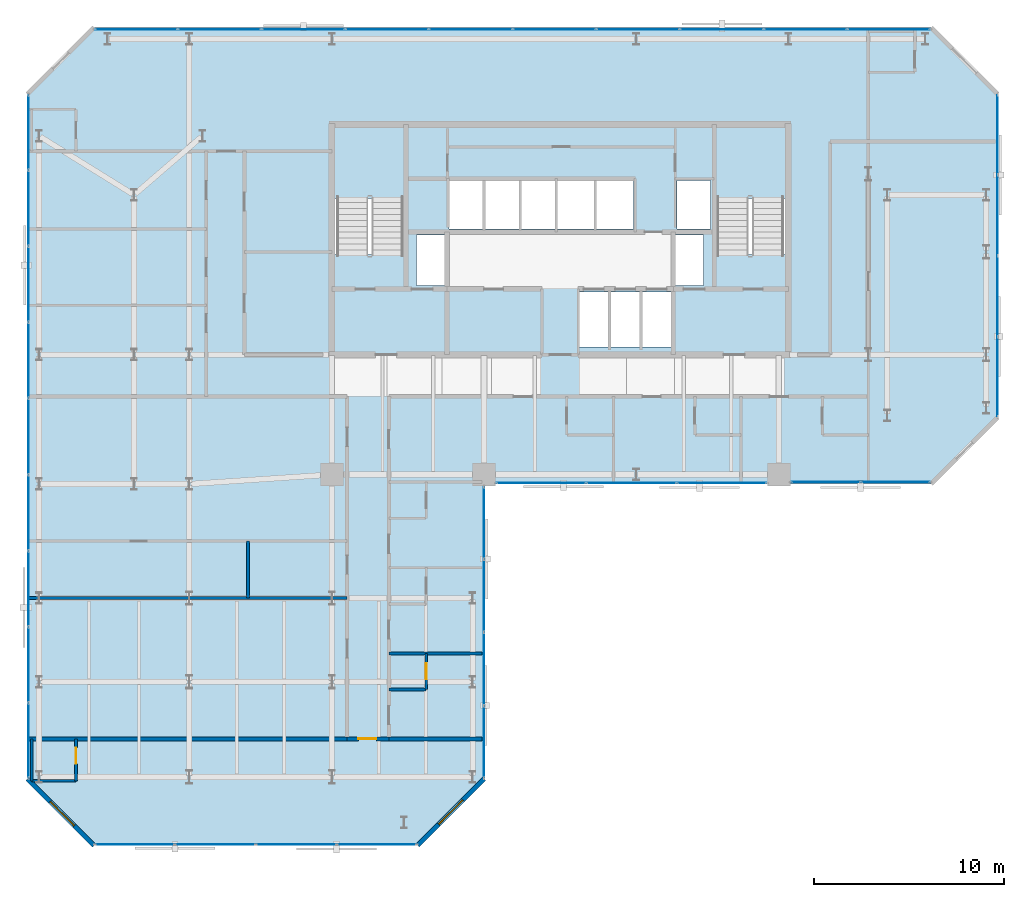
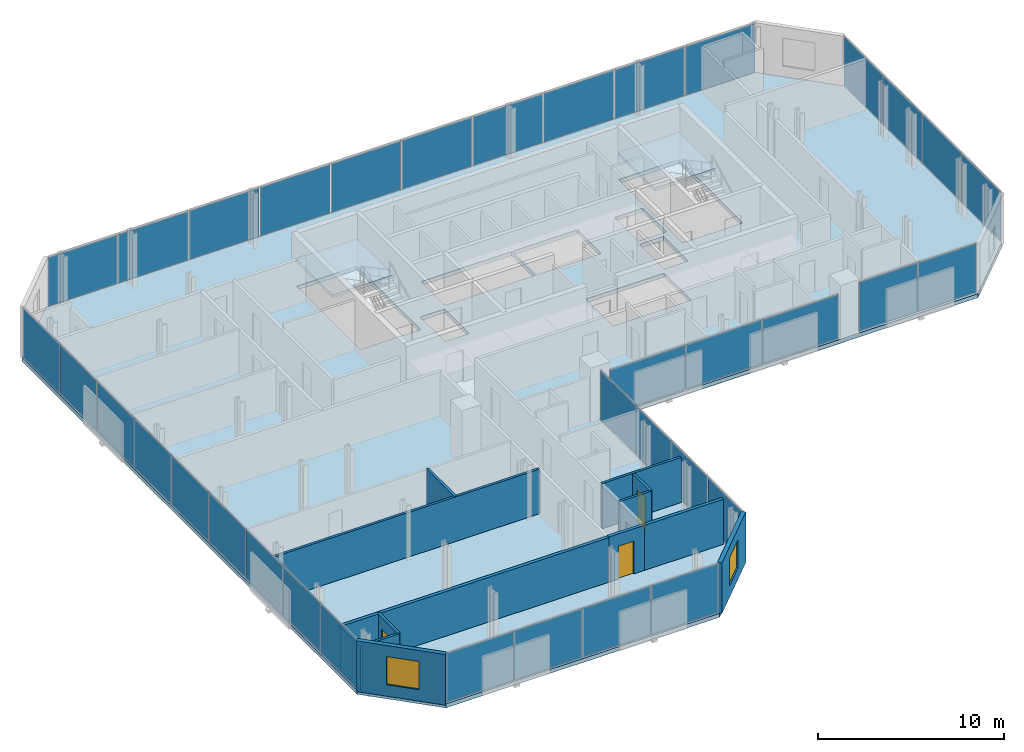
# One storey, part 27 of 32: 36 plates, 13 walls, 3 doors, 3 slabs, 2 windows, 5 openings, 9 elements without a shape of their own.
"""IFC4 building model written with IfcOpenShell, lengths in metres."""

from ifc_helpers import new_model, si_unit, direction, frame, frame_2d, origin, origin_2d, place, context, subcontext, project, spatial, polyline, rectangle, outline, extrude, material, layer, layer_set, type_object, element, fill, aggregate, save


model = new_model("IFC4")

# Units and contexts
model_context = context("Model", 3, precision=1e-05, world=origin(), true_north=direction((0.0, 1.0)))
body_context = subcontext(model_context, "Body", "Model", "MODEL_VIEW")
ifc_project = project(units=[si_unit("LENGTHUNIT", "METRE"), si_unit("AREAUNIT", "SQUARE_METRE"), si_unit("VOLUMEUNIT", "CUBIC_METRE"), si_unit("PLANEANGLEUNIT", "RADIAN"), si_unit("MASSUNIT", "GRAM", prefix="KILO")], contexts=[model_context])

# Site, building, storey
site_placement = place(None, origin())
site = spatial("IfcSite", under=ifc_project, at=site_placement, CompositionType="ELEMENT")
building_placement = place(site_placement, origin())
building = spatial("IfcBuilding", under=site, at=building_placement, Name="Catumbela Crestline Tower", CompositionType="ELEMENT")
storey_placement = place(building_placement, frame((0.0, 0.0, 136.8)))
storey = spatial("IfcBuildingStorey", under=building, at=storey_placement, Name="L35", CompositionType="ELEMENT", Elevation=136.8)

# Curtain wall, plates
ifc_material_1 = material(Name="Aluminium alloy AW-6060-T66", Category="aluminium")
ifc_layer_1 = layer(ifc_material_1, 0.18, Name="Aluminium alloy AW-6060-T66")
ifc_layer_set_1 = layer_set([ifc_layer_1], Name="Aluminium alloy AW-6060-T66")
curtain_wall_type = type_object("IfcCurtainWallType", Name="CWU-Z2", PredefinedType="USERDEFINED", material=ifc_layer_set_1)
curtain_wall_1_placement = place(storey_placement, origin())
curtain_wall_1 = element("IfcCurtainWall", 1, at=curtain_wall_1_placement, inside=storey, type_object=curtain_wall_type, Name="L35 Unitised Curtain Wall CW-L35-E0S1", ObjectType="UNITISED", PredefinedType="USERDEFINED")
ifc_material_2 = material(Name="Low-E laminated solar-control double glazing", Category="glass")
ifc_layer_2 = layer(ifc_material_2, 0.036, Name="Low-E laminated solar-control double glazing")
ifc_layer_set_2 = layer_set([ifc_layer_2], Name="Low-E laminated solar-control double glazing")
plate_type = type_object("IfcPlateType", Name="PNL-GLZ-Z2", PredefinedType="CURTAIN_PANEL", material=ifc_layer_set_2)
plate_1_placement = place(storey_placement, frame((5.6412, 5.05, 0.06), z_axis=(0.0, 0.0, 1.0), x_axis=(1.0, 0.0, 0.0)))
plate_1 = element("IfcPlate", 2, at=plate_1_placement, type_object=plate_type, Name="CWU-Z2 panel 1.1", PredefinedType="CURTAIN_PANEL", context=body_context, shape_type="SweptSolid", body=[
    extrude(rectangle(XDim=4.1525, YDim=0.034, at=origin_2d()), origin(), (0.0, 0.0, 1.0), 3.21),
])
plate_2_placement = place(storey_placement, frame((9.875, 5.05, 0.06), z_axis=(0.0, 0.0, 1.0), x_axis=(1.0, 0.0, 0.0)))
plate_2 = element("IfcPlate", 3, at=plate_2_placement, type_object=plate_type, Name="CWU-Z2 panel 2.1", PredefinedType="CURTAIN_PANEL", context=body_context, shape_type="SweptSolid", body=[
    extrude(rectangle(XDim=4.185, YDim=0.034, at=origin_2d()), origin(), (0.0, 0.0, 1.0), 3.21),
])
plate_3_placement = place(storey_placement, frame((14.125, 5.05, 0.06), z_axis=(0.0, 0.0, 1.0), x_axis=(1.0, 0.0, 0.0)))
plate_3 = element("IfcPlate", 4, at=plate_3_placement, type_object=plate_type, Name="CWU-Z2 panel 3.1", PredefinedType="CURTAIN_PANEL", context=body_context, shape_type="SweptSolid", body=[
    extrude(rectangle(XDim=4.185, YDim=0.034, at=origin_2d()), origin(), (0.0, 0.0, 1.0), 3.21),
])
plate_4_placement = place(storey_placement, frame((18.3588, 5.05, 0.06), z_axis=(0.0, 0.0, 1.0), x_axis=(1.0, 0.0, 0.0)))
plate_4 = element("IfcPlate", 5, at=plate_4_placement, type_object=plate_type, Name="CWU-Z2 panel 4.1", PredefinedType="CURTAIN_PANEL", context=body_context, shape_type="SweptSolid", body=[
    extrude(rectangle(XDim=4.1525, YDim=0.034, at=origin_2d()), origin(), (0.0, 0.0, 1.0), 3.21),
])
aggregate(curtain_wall_1, [plate_1, plate_2, plate_3, plate_4])

curtain_wall_2_placement = place(storey_placement, origin())
curtain_wall_2 = element("IfcCurtainWall", 6, at=curtain_wall_2_placement, inside=storey, type_object=curtain_wall_type, Name="L35 Unitised Curtain Wall CW-L35-E2S1", ObjectType="UNITISED", PredefinedType="USERDEFINED")
plate_5_placement = place(storey_placement, frame((24.0, 10.4412, 0.06), z_axis=(0.0, 0.0, 1.0), x_axis=(0.0, 1.0, 0.0)))
plate_5 = element("IfcPlate", 7, at=plate_5_placement, type_object=plate_type, Name="CWU-Z2 panel 1.1", PredefinedType="CURTAIN_PANEL", context=body_context, shape_type="SweptSolid", body=[
    extrude(rectangle(XDim=3.7525, YDim=0.034, at=origin_2d()), origin(), (0.0, 0.0, 1.0), 3.21),
])
plate_6_placement = place(storey_placement, frame((24.0, 14.275, 0.06), z_axis=(0.0, 0.0, 1.0), x_axis=(0.0, 1.0, 0.0)))
plate_6 = element("IfcPlate", 8, at=plate_6_placement, type_object=plate_type, Name="CWU-Z2 panel 2.1", PredefinedType="CURTAIN_PANEL", context=body_context, shape_type="SweptSolid", body=[
    extrude(rectangle(XDim=3.785, YDim=0.034, at=origin_2d()), origin(), (0.0, 0.0, 1.0), 3.21),
])
plate_7_placement = place(storey_placement, frame((24.0, 18.125, 0.06), z_axis=(0.0, 0.0, 1.0), x_axis=(0.0, 1.0, 0.0)))
plate_7 = element("IfcPlate", 9, at=plate_7_placement, type_object=plate_type, Name="CWU-Z2 panel 3.1", PredefinedType="CURTAIN_PANEL", context=body_context, shape_type="SweptSolid", body=[
    extrude(rectangle(XDim=3.785, YDim=0.034, at=origin_2d()), origin(), (0.0, 0.0, 1.0), 3.21),
])
plate_8_placement = place(storey_placement, frame((24.0, 21.9587, 0.06), z_axis=(0.0, 0.0, 1.0), x_axis=(0.0, 1.0, 0.0)))
plate_8 = element("IfcPlate", 10, at=plate_8_placement, type_object=plate_type, Name="CWU-Z2 panel 4.1", PredefinedType="CURTAIN_PANEL", context=body_context, shape_type="SweptSolid", body=[
    extrude(rectangle(XDim=3.7525, YDim=0.034, at=origin_2d()), origin(), (0.0, 0.0, 1.0), 3.21),
])
aggregate(curtain_wall_2, [plate_5, plate_6, plate_7, plate_8])

curtain_wall_3_placement = place(storey_placement, origin())
curtain_wall_3 = element("IfcCurtainWall", 11, at=curtain_wall_3_placement, inside=storey, type_object=curtain_wall_type, Name="L35 Unitised Curtain Wall CW-L35-E3S1", ObjectType="UNITISED", PredefinedType="USERDEFINED")
plate_9_placement = place(storey_placement, frame((26.9996, 24.05, 0.06), z_axis=(0.0, 0.0, 1.0), x_axis=(1.0, 0.0, 0.0)))
plate_9 = element("IfcPlate", 12, at=plate_9_placement, type_object=plate_type, Name="CWU-Z2 panel 1.1", PredefinedType="CURTAIN_PANEL", context=body_context, shape_type="SweptSolid", body=[
    extrude(rectangle(XDim=4.6692, YDim=0.034, at=origin_2d()), origin(), (0.0, 0.0, 1.0), 2.89),
])
plate_10_placement = place(storey_placement, frame((31.75, 24.05, 0.06), z_axis=(0.0, 0.0, 1.0), x_axis=(1.0, 0.0, 0.0)))
plate_10 = element("IfcPlate", 13, at=plate_10_placement, type_object=plate_type, Name="CWU-Z2 panel 2.1", PredefinedType="CURTAIN_PANEL", context=body_context, shape_type="SweptSolid", body=[
    extrude(rectangle(XDim=4.7017, YDim=0.034, at=origin_2d()), origin(), (0.0, 0.0, 1.0), 2.89),
])
plate_11_placement = place(storey_placement, frame((36.5004, 24.05, 0.06), z_axis=(0.0, 0.0, 1.0), x_axis=(1.0, 0.0, 0.0)))
plate_11 = element("IfcPlate", 14, at=plate_11_placement, type_object=plate_type, Name="CWU-Z2 panel 3.1", PredefinedType="CURTAIN_PANEL", context=body_context, shape_type="SweptSolid", body=[
    extrude(rectangle(XDim=4.6692, YDim=0.034, at=origin_2d()), origin(), (0.0, 0.0, 1.0), 2.89),
])
aggregate(curtain_wall_3, [plate_9, plate_10, plate_11])

curtain_wall_4_placement = place(storey_placement, origin())
curtain_wall_4 = element("IfcCurtainWall", 15, at=curtain_wall_4_placement, inside=storey, type_object=curtain_wall_type, Name="L35 Unitised Curtain Wall CW-L35-E3S2", ObjectType="UNITISED", PredefinedType="USERDEFINED")
plate_12_placement = place(storey_placement, frame((41.9662, 24.1, 0.06), z_axis=(0.0, 0.0, 1.0), x_axis=(1.0, 0.0, 0.0)))
plate_12 = element("IfcPlate", 16, at=plate_12_placement, type_object=plate_type, Name="CWU-Z2 panel 1.1", PredefinedType="CURTAIN_PANEL", context=body_context, shape_type="SweptSolid", body=[
    extrude(rectangle(XDim=3.6025, YDim=0.034, at=origin_2d()), origin(), (0.0, 0.0, 1.0), 3.21),
])
plate_13_placement = place(storey_placement, frame((45.6338, 24.1, 0.06), z_axis=(0.0, 0.0, 1.0), x_axis=(1.0, 0.0, 0.0)))
plate_13 = element("IfcPlate", 17, at=plate_13_placement, type_object=plate_type, Name="CWU-Z2 panel 2.1", PredefinedType="CURTAIN_PANEL", context=body_context, shape_type="SweptSolid", body=[
    extrude(rectangle(XDim=3.6025, YDim=0.034, at=origin_2d()), origin(), (0.0, 0.0, 1.0), 3.21),
])
aggregate(curtain_wall_4, [plate_12, plate_13])

curtain_wall_5_placement = place(storey_placement, origin())
curtain_wall_5 = element("IfcCurtainWall", 18, at=curtain_wall_5_placement, inside=storey, type_object=curtain_wall_type, Name="L35 Unitised Curtain Wall CW-L35-E5S1", ObjectType="UNITISED", PredefinedType="USERDEFINED")
plate_14_placement = place(storey_placement, frame((51.0, 29.6412, 0.06), z_axis=(0.0, 0.0, 1.0), x_axis=(0.0, 1.0, 0.0)))
plate_14 = element("IfcPlate", 19, at=plate_14_placement, type_object=plate_type, Name="CWU-Z2 panel 1.1", PredefinedType="CURTAIN_PANEL", context=body_context, shape_type="SweptSolid", body=[
    extrude(rectangle(XDim=4.1525, YDim=0.034, at=origin_2d()), origin(), (0.0, 0.0, 1.0), 3.21),
])
plate_15_placement = place(storey_placement, frame((51.0, 33.875, 0.06), z_axis=(0.0, 0.0, 1.0), x_axis=(0.0, 1.0, 0.0)))
plate_15 = element("IfcPlate", 20, at=plate_15_placement, type_object=plate_type, Name="CWU-Z2 panel 2.1", PredefinedType="CURTAIN_PANEL", context=body_context, shape_type="SweptSolid", body=[
    extrude(rectangle(XDim=4.185, YDim=0.034, at=origin_2d()), origin(), (0.0, 0.0, 1.0), 3.21),
])
plate_16_placement = place(storey_placement, frame((51.0, 38.125, 0.06), z_axis=(0.0, 0.0, 1.0), x_axis=(0.0, 1.0, 0.0)))
plate_16 = element("IfcPlate", 21, at=plate_16_placement, type_object=plate_type, Name="CWU-Z2 panel 3.1", PredefinedType="CURTAIN_PANEL", context=body_context, shape_type="SweptSolid", body=[
    extrude(rectangle(XDim=4.185, YDim=0.034, at=origin_2d()), origin(), (0.0, 0.0, 1.0), 3.21),
])
plate_17_placement = place(storey_placement, frame((51.0, 42.3588, 0.06), z_axis=(0.0, 0.0, 1.0), x_axis=(0.0, 1.0, 0.0)))
plate_17 = element("IfcPlate", 22, at=plate_17_placement, type_object=plate_type, Name="CWU-Z2 panel 4.1", PredefinedType="CURTAIN_PANEL", context=body_context, shape_type="SweptSolid", body=[
    extrude(rectangle(XDim=4.1525, YDim=0.034, at=origin_2d()), origin(), (0.0, 0.0, 1.0), 3.21),
])
aggregate(curtain_wall_5, [plate_14, plate_15, plate_16, plate_17])

curtain_wall_6_placement = place(storey_placement, origin())
curtain_wall_6 = element("IfcCurtainWall", 23, at=curtain_wall_6_placement, inside=storey, type_object=curtain_wall_type, Name="L35 Unitised Curtain Wall CW-L35-E7S1", ObjectType="UNITISED", PredefinedType="USERDEFINED")
plate_18_placement = place(storey_placement, frame((45.2838, 47.9, 0.06), z_axis=(0.0, 0.0, 1.0), x_axis=(-1.0, 0.0, 0.0)))
plate_18 = element("IfcPlate", 24, at=plate_18_placement, type_object=plate_type, Name="CWU-Z2 panel 1.1", PredefinedType="CURTAIN_PANEL", context=body_context, shape_type="SweptSolid", body=[
    extrude(rectangle(XDim=4.3025, YDim=0.034, at=origin_2d()), origin(), (0.0, 0.0, 1.0), 3.21),
])
plate_19_placement = place(storey_placement, frame((40.9, 47.9, 0.06), z_axis=(0.0, 0.0, 1.0), x_axis=(-1.0, 0.0, 0.0)))
plate_19 = element("IfcPlate", 25, at=plate_19_placement, type_object=plate_type, Name="CWU-Z2 panel 2.1", PredefinedType="CURTAIN_PANEL", context=body_context, shape_type="SweptSolid", body=[
    extrude(rectangle(XDim=4.335, YDim=0.034, at=origin_2d()), origin(), (0.0, 0.0, 1.0), 3.21),
])
plate_20_placement = place(storey_placement, frame((36.5, 47.9, 0.06), z_axis=(0.0, 0.0, 1.0), x_axis=(-1.0, 0.0, 0.0)))
plate_20 = element("IfcPlate", 26, at=plate_20_placement, type_object=plate_type, Name="CWU-Z2 panel 3.1", PredefinedType="CURTAIN_PANEL", context=body_context, shape_type="SweptSolid", body=[
    extrude(rectangle(XDim=4.335, YDim=0.034, at=origin_2d()), origin(), (0.0, 0.0, 1.0), 3.21),
])
plate_21_placement = place(storey_placement, frame((32.1, 47.9, 0.06), z_axis=(0.0, 0.0, 1.0), x_axis=(-1.0, 0.0, 0.0)))
plate_21 = element("IfcPlate", 27, at=plate_21_placement, type_object=plate_type, Name="CWU-Z2 panel 4.1", PredefinedType="CURTAIN_PANEL", context=body_context, shape_type="SweptSolid", body=[
    extrude(rectangle(XDim=4.335, YDim=0.034, at=origin_2d()), origin(), (0.0, 0.0, 1.0), 3.21),
])
plate_22_placement = place(storey_placement, frame((27.7, 47.9, 0.06), z_axis=(0.0, 0.0, 1.0), x_axis=(-1.0, 0.0, 0.0)))
plate_22 = element("IfcPlate", 28, at=plate_22_placement, type_object=plate_type, Name="CWU-Z2 panel 5.1", PredefinedType="CURTAIN_PANEL", context=body_context, shape_type="SweptSolid", body=[
    extrude(rectangle(XDim=4.335, YDim=0.034, at=origin_2d()), origin(), (0.0, 0.0, 1.0), 3.21),
])
plate_23_placement = place(storey_placement, frame((23.3, 47.9, 0.06), z_axis=(0.0, 0.0, 1.0), x_axis=(-1.0, 0.0, 0.0)))
plate_23 = element("IfcPlate", 29, at=plate_23_placement, type_object=plate_type, Name="CWU-Z2 panel 6.1", PredefinedType="CURTAIN_PANEL", context=body_context, shape_type="SweptSolid", body=[
    extrude(rectangle(XDim=4.335, YDim=0.034, at=origin_2d()), origin(), (0.0, 0.0, 1.0), 3.21),
])
plate_24_placement = place(storey_placement, frame((18.9, 47.9, 0.06), z_axis=(0.0, 0.0, 1.0), x_axis=(-1.0, 0.0, 0.0)))
plate_24 = element("IfcPlate", 30, at=plate_24_placement, type_object=plate_type, Name="CWU-Z2 panel 7.1", PredefinedType="CURTAIN_PANEL", context=body_context, shape_type="SweptSolid", body=[
    extrude(rectangle(XDim=4.335, YDim=0.034, at=origin_2d()), origin(), (0.0, 0.0, 1.0), 3.21),
])
plate_25_placement = place(storey_placement, frame((14.5, 47.9, 0.06), z_axis=(0.0, 0.0, 1.0), x_axis=(-1.0, 0.0, 0.0)))
plate_25 = element("IfcPlate", 31, at=plate_25_placement, type_object=plate_type, Name="CWU-Z2 panel 8.1", PredefinedType="CURTAIN_PANEL", context=body_context, shape_type="SweptSolid", body=[
    extrude(rectangle(XDim=4.335, YDim=0.034, at=origin_2d()), origin(), (0.0, 0.0, 1.0), 3.21),
])
plate_26_placement = place(storey_placement, frame((10.1, 47.9, 0.06), z_axis=(0.0, 0.0, 1.0), x_axis=(-1.0, 0.0, 0.0)))
plate_26 = element("IfcPlate", 32, at=plate_26_placement, type_object=plate_type, Name="CWU-Z2 panel 9.1", PredefinedType="CURTAIN_PANEL", context=body_context, shape_type="SweptSolid", body=[
    extrude(rectangle(XDim=4.335, YDim=0.034, at=origin_2d()), origin(), (0.0, 0.0, 1.0), 3.21),
])
plate_27_placement = place(storey_placement, frame((5.7162, 47.9, 0.06), z_axis=(0.0, 0.0, 1.0), x_axis=(-1.0, 0.0, 0.0)))
plate_27 = element("IfcPlate", 33, at=plate_27_placement, type_object=plate_type, Name="CWU-Z2 panel 10.1", PredefinedType="CURTAIN_PANEL", context=body_context, shape_type="SweptSolid", body=[
    extrude(rectangle(XDim=4.3025, YDim=0.034, at=origin_2d()), origin(), (0.0, 0.0, 1.0), 3.21),
])
aggregate(curtain_wall_6, [plate_18, plate_19, plate_20, plate_21, plate_22, plate_23, plate_24, plate_25, plate_26, plate_27])

curtain_wall_7_placement = place(storey_placement, origin())
curtain_wall_7 = element("IfcCurtainWall", 34, at=curtain_wall_7_placement, inside=storey, type_object=curtain_wall_type, Name="L35 Unitised Curtain Wall CW-L35-E9S1", ObjectType="UNITISED", PredefinedType="USERDEFINED")
plate_28_placement = place(storey_placement, frame((0.05, 42.4838, 0.06), z_axis=(0.0, 0.0, 1.0), x_axis=(0.0, -1.0, 0.0)))
plate_28 = element("IfcPlate", 35, at=plate_28_placement, type_object=plate_type, Name="CWU-Z2 panel 1.1", PredefinedType="CURTAIN_PANEL", context=body_context, shape_type="SweptSolid", body=[
    extrude(rectangle(XDim=3.9025, YDim=0.034, at=origin_2d()), origin(), (0.0, 0.0, 1.0), 3.21),
])
plate_29_placement = place(storey_placement, frame((0.05, 38.5, 0.06), z_axis=(0.0, 0.0, 1.0), x_axis=(0.0, -1.0, 0.0)))
plate_29 = element("IfcPlate", 36, at=plate_29_placement, type_object=plate_type, Name="CWU-Z2 panel 2.1", PredefinedType="CURTAIN_PANEL", context=body_context, shape_type="SweptSolid", body=[
    extrude(rectangle(XDim=3.935, YDim=0.034, at=origin_2d()), origin(), (0.0, 0.0, 1.0), 3.21),
])
plate_30_placement = place(storey_placement, frame((0.05, 34.5, 0.06), z_axis=(0.0, 0.0, 1.0), x_axis=(0.0, -1.0, 0.0)))
plate_30 = element("IfcPlate", 37, at=plate_30_placement, type_object=plate_type, Name="CWU-Z2 panel 3.1", PredefinedType="CURTAIN_PANEL", context=body_context, shape_type="SweptSolid", body=[
    extrude(rectangle(XDim=3.935, YDim=0.034, at=origin_2d()), origin(), (0.0, 0.0, 1.0), 3.21),
])
plate_31_placement = place(storey_placement, frame((0.05, 30.5, 0.06), z_axis=(0.0, 0.0, 1.0), x_axis=(0.0, -1.0, 0.0)))
plate_31 = element("IfcPlate", 38, at=plate_31_placement, type_object=plate_type, Name="CWU-Z2 panel 4.1", PredefinedType="CURTAIN_PANEL", context=body_context, shape_type="SweptSolid", body=[
    extrude(rectangle(XDim=3.935, YDim=0.034, at=origin_2d()), origin(), (0.0, 0.0, 1.0), 3.21),
])
plate_32_placement = place(storey_placement, frame((0.05, 26.5, 0.06), z_axis=(0.0, 0.0, 1.0), x_axis=(0.0, -1.0, 0.0)))
plate_32 = element("IfcPlate", 39, at=plate_32_placement, type_object=plate_type, Name="CWU-Z2 panel 5.1", PredefinedType="CURTAIN_PANEL", context=body_context, shape_type="SweptSolid", body=[
    extrude(rectangle(XDim=3.935, YDim=0.034, at=origin_2d()), origin(), (0.0, 0.0, 1.0), 3.21),
])
plate_33_placement = place(storey_placement, frame((0.05, 22.5, 0.06), z_axis=(0.0, 0.0, 1.0), x_axis=(0.0, -1.0, 0.0)))
plate_33 = element("IfcPlate", 40, at=plate_33_placement, type_object=plate_type, Name="CWU-Z2 panel 6.1", PredefinedType="CURTAIN_PANEL", context=body_context, shape_type="SweptSolid", body=[
    extrude(rectangle(XDim=3.935, YDim=0.034, at=origin_2d()), origin(), (0.0, 0.0, 1.0), 3.21),
])
plate_34_placement = place(storey_placement, frame((0.05, 18.5, 0.06), z_axis=(0.0, 0.0, 1.0), x_axis=(0.0, -1.0, 0.0)))
plate_34 = element("IfcPlate", 41, at=plate_34_placement, type_object=plate_type, Name="CWU-Z2 panel 7.1", PredefinedType="CURTAIN_PANEL", context=body_context, shape_type="SweptSolid", body=[
    extrude(rectangle(XDim=3.935, YDim=0.034, at=origin_2d()), origin(), (0.0, 0.0, 1.0), 3.21),
])
plate_35_placement = place(storey_placement, frame((0.05, 14.5, 0.06), z_axis=(0.0, 0.0, 1.0), x_axis=(0.0, -1.0, 0.0)))
plate_35 = element("IfcPlate", 42, at=plate_35_placement, type_object=plate_type, Name="CWU-Z2 panel 8.1", PredefinedType="CURTAIN_PANEL", context=body_context, shape_type="SweptSolid", body=[
    extrude(rectangle(XDim=3.935, YDim=0.034, at=origin_2d()), origin(), (0.0, 0.0, 1.0), 3.21),
])
plate_36_placement = place(storey_placement, frame((0.05, 10.5162, 0.06), z_axis=(0.0, 0.0, 1.0), x_axis=(0.0, -1.0, 0.0)))
plate_36 = element("IfcPlate", 43, at=plate_36_placement, type_object=plate_type, Name="CWU-Z2 panel 9.1", PredefinedType="CURTAIN_PANEL", context=body_context, shape_type="SweptSolid", body=[
    extrude(rectangle(XDim=3.9025, YDim=0.034, at=origin_2d()), origin(), (0.0, 0.0, 1.0), 3.21),
])
aggregate(curtain_wall_7, [plate_28, plate_29, plate_30, plate_31, plate_32, plate_33, plate_34, plate_35, plate_36])

# Stair, slab
ifc_material_3 = material(Name="Concrete C45/55", Category="concrete")
stair_type = type_object("IfcStairType", Name="ST-DLG", PredefinedType="HALF_TURN_STAIR", material=ifc_material_3)
stair_1_placement = place(storey_placement, origin())
stair_1 = element("IfcStair", 44, at=stair_1_placement, inside=storey, type_object=stair_type, Name="L35 West Core Pressurised Exit Stair ST-01", PredefinedType="HALF_TURN_STAIR")
ifc_layer_3 = layer(ifc_material_3, 0.2, Name="Concrete C45/55")
ifc_layer_set_3 = layer_set([ifc_layer_3], Name="Concrete C45/55")
slab_type_1 = type_object("IfcSlabType", Name="SL-LND", PredefinedType="LANDING", material=ifc_layer_set_3)
slab_1_placement = place(storey_placement, frame((0.0, 0.0, 1.6)))
slab_1 = element("IfcSlab", 45, at=slab_1_placement, type_object=slab_type_1, Name="ST-01 landing 1", PredefinedType="LANDING", context=body_context, shape_type="SweptSolid", body=[
    extrude(outline(polyline([(19.91, 39.02), (19.91, 42.96), (16.09, 42.96), (16.09, 39.02), (19.91, 39.02)])), origin(), (0.0, 0.0, 1.0), 0.2),
])
aggregate(stair_1, [slab_1])

stair_2_placement = place(storey_placement, origin())
stair_2 = element("IfcStair", 46, at=stair_2_placement, inside=storey, type_object=stair_type, Name="L35 East Core Pressurised Exit Stair ST-02", PredefinedType="HALF_TURN_STAIR")
slab_2_placement = place(storey_placement, frame((0.0, 0.0, 1.6)))
slab_2 = element("IfcSlab", 47, at=slab_2_placement, type_object=slab_type_1, Name="ST-02 landing 1", PredefinedType="LANDING", context=body_context, shape_type="SweptSolid", body=[
    extrude(outline(polyline([(39.91, 39.02), (39.91, 42.96), (36.09, 42.96), (36.09, 39.02), (39.91, 39.02)])), origin(), (0.0, 0.0, 1.0), 0.2),
])
aggregate(stair_2, [slab_2])

# Slab
ifc_layer_4 = layer(ifc_material_3, 0.26, Name="Concrete C45/55")
ifc_layer_set_4 = layer_set([ifc_layer_4], Name="Concrete C45/55")
slab_type_2 = type_object("IfcSlabType", Name="SL-260", PredefinedType="FLOOR", material=ifc_layer_set_4)
slab_3_placement = place(storey_placement, frame((0.0, 0.0, -0.26)))
element("IfcSlab", 48, at=slab_3_placement, inside=storey, type_object=slab_type_2, Name="L35 Structural Floor Slab", PredefinedType="FLOOR", context=body_context, shape_type="SweptSolid", body=[
    extrude(outline(polyline([(3.5, 5.0), (20.5, 5.0), (24.0, 8.5), (24.0, 24.0), (47.5, 24.0), (51.0, 27.5), (51.0, 44.5), (47.5, 48.0), (3.5, 48.0), (0.0, 44.5), (0.0, 8.5), (3.5, 5.0)]), holes=[polyline([(16.13, 36.08), (19.87, 36.08), (19.87, 42.92), (16.13, 42.92), (16.13, 36.08)]), polyline([(36.13, 36.08), (39.87, 36.08), (39.87, 42.92), (36.13, 42.92), (36.13, 36.08)]), polyline([(29.0, 31.2), (33.85, 31.2), (33.85, 34.1), (29.0, 34.1), (29.0, 31.2)]), polyline([(22.15, 37.4), (27.75, 37.4), (27.75, 39.95), (22.15, 39.95), (22.15, 37.4)]), polyline([(27.85, 37.4), (31.85, 37.4), (31.85, 39.95), (27.85, 39.95), (27.85, 37.4)]), polyline([(20.45, 34.45), (21.95, 34.45), (21.95, 37.1), (20.45, 37.1), (20.45, 34.45)]), polyline([(34.05, 34.45), (35.55, 34.45), (35.55, 37.1), (34.05, 37.1), (34.05, 34.45)]), polyline([(34.15, 37.4), (35.9, 37.4), (35.9, 39.95), (34.15, 39.95), (34.15, 37.4)])]), origin(), (0.0, 0.0, 1.0), 0.26),
])

# Wall, opening, door
ifc_material_4 = material(Name="Acoustic gypsum and mineral-wool partition")
ifc_layer_5 = layer(ifc_material_4, 0.2, Name="Acoustic gypsum and mineral-wool partition")
ifc_layer_set_5 = layer_set([ifc_layer_5], Name="Acoustic gypsum and mineral-wool partition")
wall_type_1 = type_object("IfcWallType", Name="WC-200", PredefinedType="PARTITIONING", material=ifc_layer_set_5)
wall_1_placement = place(storey_placement, frame((16.8, 10.6, 0.0), z_axis=(0.0, 0.0, 1.0), x_axis=(1.0, 0.0, 0.0)))
wall_1 = element("IfcWall", 49, at=wall_1_placement, inside=storey, type_object=wall_type_1, Name="L35 Interior Partition PW-L35-STIP-ENT", PredefinedType="PARTITIONING", context=body_context, shape_type="SweptSolid", body=[
    extrude(rectangle(XDim=2.2, YDim=0.2, at=frame_2d((1.1, 0.0))), origin(), (0.0, 0.0, 1.0), 2.96),
])
opening_1_placement = place(wall_1_placement, frame((0.5925, 0.0, 0.0)))
opening_1 = element("IfcOpeningElement", 50, at=opening_1_placement, cuts=wall_1, Name="Opening DF6-095", PredefinedType="OPENING", context=body_context, shape_type="SweptSolid", body=[
    extrude(rectangle(XDim=0.95, YDim=2.15, at=frame_2d((0.475, 1.075))), frame((0.0, 0.11, 0.0), z_axis=(0.0, -1.0, 0.0), x_axis=(1.0, 0.0, 0.0)), (0.0, 0.0, 1.0), 0.22),
])
door_type_1 = type_object("IfcDoorType", Name="DF6-095", OperationType="NOTDEFINED", PredefinedType="DOOR", material=ifc_material_1)
door_1_placement = place(opening_1_placement, origin())
door_1 = element("IfcDoor", 51, at=door_1_placement, inside=storey, type_object=door_type_1, Name="L35 Interior Door DR-L35-STIP-ENT", OperationType="SINGLE_SWING_LEFT", OverallHeight=2.15, OverallWidth=0.95, PredefinedType="DOOR", context=body_context, shape_type="SweptSolid", body=[
    extrude(rectangle(XDim=0.95, YDim=2.15, at=frame_2d((0.475, 1.075))), frame((0.0, 0.025, 0.0), z_axis=(0.0, -1.0, 0.0), x_axis=(1.0, 0.0, 0.0)), (0.0, 0.0, 1.0), 0.05),
])
fill(opening_1, door_1)

# Wall, opening, window
ifc_material_5 = material(Name="Angolan grey-ochre granite", Category="masonry")
ifc_layer_6 = layer(ifc_material_5, 0.25, Name="Angolan grey-ochre granite")
ifc_layer_set_6 = layer_set([ifc_layer_6], Name="Angolan grey-ochre granite")
wall_type_2 = type_object("IfcWallType", Name="WE-250", PredefinedType="STANDARD", material=ifc_layer_set_6)
wall_2_placement = place(storey_placement, frame((20.5, 5.0, 0.0), z_axis=(0.0, 0.0, 1.0), x_axis=(0.707106781187, 0.707106781187, 0.0)))
wall_2 = element("IfcWall", 52, at=wall_2_placement, inside=storey, type_object=wall_type_2, Name="L35 Granite Punched Window Wall 1-1", PredefinedType="STANDARD", context=body_context, shape_type="SweptSolid", body=[
    extrude(rectangle(XDim=4.9497, YDim=0.25, at=frame_2d((2.4748, 0.0))), origin(), (0.0, 0.0, 1.0), 3.33),
])
opening_2_placement = place(wall_2_placement, frame((1.5749, 0.0, 0.75)))
opening_2 = element("IfcOpeningElement", 53, at=opening_2_placement, cuts=wall_2, Name="Opening WN-01", PredefinedType="OPENING", context=body_context, shape_type="SweptSolid", body=[
    extrude(rectangle(XDim=1.8, YDim=1.85, at=frame_2d((0.9, 0.925))), frame((0.0, 0.135, 0.0), z_axis=(0.0, -1.0, 0.0), x_axis=(1.0, 0.0, 0.0)), (0.0, 0.0, 1.0), 0.27),
])
window_type = type_object("IfcWindowType", Name="WF-1800", PartitioningType="SINGLE_PANEL", PredefinedType="WINDOW", material=ifc_material_2)
window_1_placement = place(opening_2_placement, origin())
window_1 = element("IfcWindow", 54, at=window_1_placement, inside=storey, type_object=window_type, Name="L35 Facade Vision Window 195", OverallHeight=1.85, OverallWidth=1.8, PartitioningType="SINGLE_PANEL", PredefinedType="WINDOW", context=body_context, shape_type="SweptSolid", body=[
    extrude(rectangle(XDim=1.8, YDim=1.85, at=frame_2d((0.9, 0.925))), frame((0.0, 0.03, 0.0), z_axis=(0.0, -1.0, 0.0), x_axis=(1.0, 0.0, 0.0)), (0.0, 0.0, 1.0), 0.06),
])
fill(opening_2, window_1)

wall_3_placement = place(storey_placement, frame((0.0, 8.5, 0.0), z_axis=(0.0, 0.0, 1.0), x_axis=(0.707106781187, -0.707106781187, 0.0)))
wall_3 = element("IfcWall", 55, at=wall_3_placement, inside=storey, type_object=wall_type_2, Name="L35 Granite Punched Window Wall 10-1", PredefinedType="STANDARD", context=body_context, shape_type="SweptSolid", body=[
    extrude(rectangle(XDim=4.9497, YDim=0.25, at=frame_2d((2.4748, 0.0))), origin(), (0.0, 0.0, 1.0), 3.33),
])
opening_3_placement = place(wall_3_placement, frame((1.6851, 0.0, 0.75)))
opening_3 = element("IfcOpeningElement", 56, at=opening_3_placement, cuts=wall_3, Name="Opening WN-01", PredefinedType="OPENING", context=body_context, shape_type="SweptSolid", body=[
    extrude(rectangle(XDim=1.8, YDim=1.85, at=frame_2d((0.9, 0.925))), frame((0.0, 0.135, 0.0), z_axis=(0.0, -1.0, 0.0), x_axis=(1.0, 0.0, 0.0)), (0.0, 0.0, 1.0), 0.27),
])
window_2_placement = place(opening_3_placement, origin())
window_2 = element("IfcWindow", 57, at=window_2_placement, inside=storey, type_object=window_type, Name="L35 Facade Vision Window 199", OverallHeight=1.85, OverallWidth=1.8, PartitioningType="SINGLE_PANEL", PredefinedType="WINDOW", context=body_context, shape_type="SweptSolid", body=[
    extrude(rectangle(XDim=1.8, YDim=1.85, at=frame_2d((0.9, 0.925))), frame((0.0, 0.03, 0.0), z_axis=(0.0, -1.0, 0.0), x_axis=(1.0, 0.0, 0.0)), (0.0, 0.0, 1.0), 0.06),
])
fill(opening_3, window_2)

# Walls
ifc_layer_7 = layer(ifc_material_4, 0.15, Name="Acoustic gypsum and mineral-wool partition")
ifc_layer_set_7 = layer_set([ifc_layer_7], Name="Acoustic gypsum and mineral-wool partition")
wall_type_3 = type_object("IfcWallType", Name="WP-150", PredefinedType="PARTITIONING", material=ifc_layer_set_7)
wall_4_placement = place(storey_placement, frame((0.1, 18.0, 0.0), z_axis=(0.0, 0.0, 1.0), x_axis=(1.0, 0.0, 0.0)))
element("IfcWall", 58, at=wall_4_placement, inside=storey, type_object=wall_type_3, Name="L35 Interior Partition PW-L35-Z2W-1", PredefinedType="PARTITIONING", context=body_context, shape_type="SweptSolid", body=[
    extrude(rectangle(XDim=16.7, YDim=0.15, at=frame_2d((8.35, 0.0))), origin(), (0.0, 0.0, 1.0), 2.93),
])
wall_5_placement = place(storey_placement, frame((11.6, 18.0, 0.0), z_axis=(0.0, 0.0, 1.0), x_axis=(0.0, 1.0, 0.0)))
element("IfcWall", 59, at=wall_5_placement, inside=storey, type_object=wall_type_3, Name="L35 Interior Partition PW-L35-Z2W-WCX", PredefinedType="PARTITIONING", context=body_context, shape_type="SweptSolid", body=[
    extrude(rectangle(XDim=3.0, YDim=0.15, at=frame_2d((1.5, 0.0))), origin(), (0.0, 0.0, 1.0), 2.93),
])
wall_6_placement = place(storey_placement, frame((0.2, 8.4, 0.0), z_axis=(0.0, 0.0, 1.0), x_axis=(1.0, 0.0, 0.0)))
element("IfcWall", 60, at=wall_6_placement, inside=storey, type_object=wall_type_3, Name="L35 Interior Partition PW-L35-STIP-BHW", PredefinedType="PARTITIONING", context=body_context, shape_type="SweptSolid", body=[
    extrude(rectangle(XDim=2.35, YDim=0.15, at=frame_2d((1.175, 0.0))), origin(), (0.0, 0.0, 1.0), 2.93),
])

# Wall, opening, door
wall_7_placement = place(storey_placement, frame((2.55, 8.4, 0.0), z_axis=(0.0, 0.0, 1.0), x_axis=(0.0, 1.0, 0.0)))
wall_7 = element("IfcWall", 61, at=wall_7_placement, inside=storey, type_object=wall_type_3, Name="L35 Interior Partition PW-L35-STIP-BEW", PredefinedType="PARTITIONING", context=body_context, shape_type="SweptSolid", body=[
    extrude(rectangle(XDim=2.2, YDim=0.15, at=frame_2d((1.1, 0.0))), origin(), (0.0, 0.0, 1.0), 2.93),
])
opening_4_placement = place(wall_7_placement, frame((0.8925, 0.0, 0.0)))
opening_4 = element("IfcOpeningElement", 62, at=opening_4_placement, cuts=wall_7, Name="Opening DI-085", PredefinedType="OPENING", context=body_context, shape_type="SweptSolid", body=[
    extrude(rectangle(XDim=0.85, YDim=2.15, at=frame_2d((0.425, 1.075))), frame((0.0, 0.085, 0.0), z_axis=(0.0, -1.0, 0.0), x_axis=(1.0, 0.0, 0.0)), (0.0, 0.0, 1.0), 0.17),
])
door_type_2 = type_object("IfcDoorType", Name="DI-085", OperationType="NOTDEFINED", PredefinedType="DOOR", material=ifc_material_1)
door_2_placement = place(opening_4_placement, origin())
door_2 = element("IfcDoor", 63, at=door_2_placement, inside=storey, type_object=door_type_2, Name="L35 Interior Door DR-L35-STIP-BTH", OperationType="SINGLE_SWING_LEFT", OverallHeight=2.15, OverallWidth=0.85, PredefinedType="DOOR", context=body_context, shape_type="SweptSolid", body=[
    extrude(rectangle(XDim=0.85, YDim=2.15, at=frame_2d((0.425, 1.075))), frame((0.0, 0.025, 0.0), z_axis=(0.0, -1.0, 0.0), x_axis=(1.0, 0.0, 0.0)), (0.0, 0.0, 1.0), 0.05),
])
fill(opening_4, door_2)

# Walls
wall_8_placement = place(storey_placement, frame((0.22, 8.38, 0.0), z_axis=(0.0, 0.0, 1.0), x_axis=(0.0, 1.0, 0.0)))
element("IfcWall", 64, at=wall_8_placement, inside=storey, type_object=wall_type_3, Name="L35 Interior Partition PW-L35-STIP-BCL-3", PredefinedType="PARTITIONING", context=body_context, shape_type="SweptSolid", body=[
    extrude(rectangle(XDim=2.22, YDim=0.15, at=frame_2d((1.11, 0.0))), origin(), (0.0, 0.0, 1.0), 2.93),
])
wall_9_placement = place(storey_placement, frame((19.0, 13.2, 0.0), z_axis=(0.0, 0.0, 1.0), x_axis=(1.0, 0.0, 0.0)))
element("IfcWall", 65, at=wall_9_placement, inside=storey, type_object=wall_type_3, Name="L35 Interior Partition PW-L35-SW1-BSW", PredefinedType="PARTITIONING", context=body_context, shape_type="SweptSolid", body=[
    extrude(rectangle(XDim=1.96, YDim=0.15, at=frame_2d((0.98, 0.0))), origin(), (0.0, 0.0, 1.0), 2.93),
])

# Wall, opening, door
wall_10_placement = place(storey_placement, frame((20.96, 13.2, 0.0), z_axis=(0.0, 0.0, 1.0), x_axis=(0.0, 1.0, 0.0)))
wall_10 = element("IfcWall", 66, at=wall_10_placement, inside=storey, type_object=wall_type_3, Name="L35 Interior Partition PW-L35-SW1-BEW", PredefinedType="PARTITIONING", context=body_context, shape_type="SweptSolid", body=[
    extrude(rectangle(XDim=1.9, YDim=0.15, at=frame_2d((0.95, 0.0))), origin(), (0.0, 0.0, 1.0), 2.93),
])
opening_5_placement = place(wall_10_placement, frame((0.525, 0.0, 0.0)))
opening_5 = element("IfcOpeningElement", 67, at=opening_5_placement, cuts=wall_10, Name="Opening DI-085", PredefinedType="OPENING", context=body_context, shape_type="SweptSolid", body=[
    extrude(rectangle(XDim=0.85, YDim=2.15, at=frame_2d((0.425, 1.075))), frame((0.0, 0.085, 0.0), z_axis=(0.0, -1.0, 0.0), x_axis=(1.0, 0.0, 0.0)), (0.0, 0.0, 1.0), 0.17),
])
door_3_placement = place(opening_5_placement, origin())
door_3 = element("IfcDoor", 68, at=door_3_placement, inside=storey, type_object=door_type_2, Name="L35 Interior Door DR-L35-SW1-BTH", OperationType="SINGLE_SWING_LEFT", OverallHeight=2.15, OverallWidth=0.85, PredefinedType="DOOR", context=body_context, shape_type="SweptSolid", body=[
    extrude(rectangle(XDim=0.85, YDim=2.15, at=frame_2d((0.425, 1.075))), frame((0.0, 0.025, 0.0), z_axis=(0.0, -1.0, 0.0), x_axis=(1.0, 0.0, 0.0)), (0.0, 0.0, 1.0), 0.05),
])
fill(opening_5, door_3)

# Walls
wall_11_placement = place(storey_placement, frame((19.0, 15.1, 0.0), z_axis=(0.0, 0.0, 1.0), x_axis=(1.0, 0.0, 0.0)))
element("IfcWall", 69, at=wall_11_placement, inside=storey, type_object=wall_type_3, Name="L35 Interior Partition PW-L35-SW1-BCL-1", PredefinedType="PARTITIONING", context=body_context, shape_type="SweptSolid", body=[
    extrude(rectangle(XDim=4.9, YDim=0.15, at=frame_2d((2.45, 0.0))), origin(), (0.0, 0.0, 1.0), 2.96),
])
ifc_layer_8 = layer(ifc_material_4, 0.2, Name="Acoustic gypsum and mineral-wool partition")
ifc_layer_set_8 = layer_set([ifc_layer_8], Name="Acoustic gypsum and mineral-wool partition")
wall_type_4 = type_object("IfcWallType", Name="WY-200", PredefinedType="PARTITIONING", material=ifc_layer_set_8)
wall_12_placement = place(storey_placement, frame((0.1, 10.6, 0.0), z_axis=(0.0, 0.0, 1.0), x_axis=(1.0, 0.0, 0.0)))
element("IfcWall", 70, at=wall_12_placement, inside=storey, type_object=wall_type_4, Name="L35 Interior Partition PW-L35-STIP-WL", PredefinedType="PARTITIONING", context=body_context, shape_type="SweptSolid", body=[
    extrude(rectangle(XDim=16.7, YDim=0.2, at=frame_2d((8.35, 0.0))), origin(), (0.0, 0.0, 1.0), 2.93),
])
wall_13_placement = place(storey_placement, frame((19.0, 10.6, 0.0), z_axis=(0.0, 0.0, 1.0), x_axis=(1.0, 0.0, 0.0)))
element("IfcWall", 71, at=wall_13_placement, inside=storey, type_object=wall_type_4, Name="L35 Interior Partition PW-L35-STIP-WR", PredefinedType="PARTITIONING", context=body_context, shape_type="SweptSolid", body=[
    extrude(rectangle(XDim=4.9, YDim=0.2, at=frame_2d((2.45, 0.0))), origin(), (0.0, 0.0, 1.0), 2.96),
])

save(model, "model.ifc")
